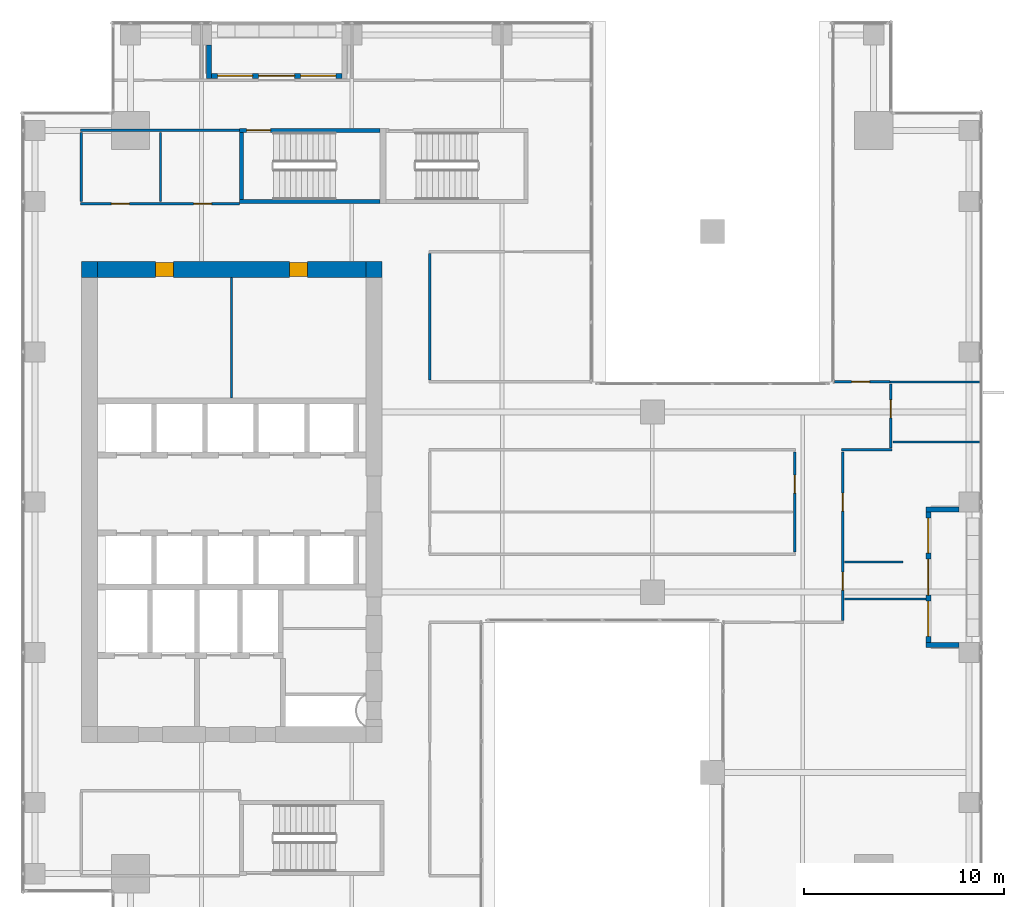
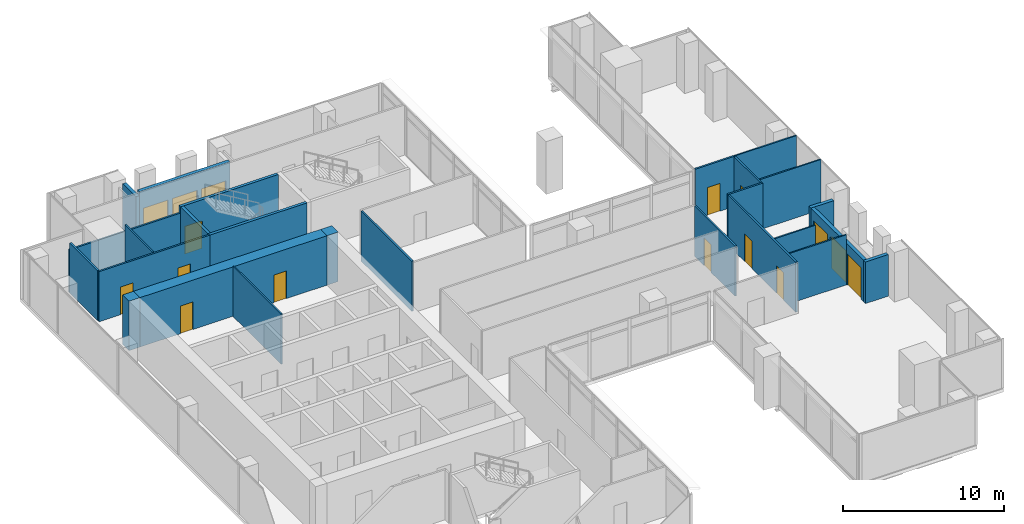
# One storey, part 33 of 37: 26 walls, 12 doors, 4 windows, 16 openings.
"""IFC4 building model written with IfcOpenShell, lengths in metres."""

from ifc_helpers import new_model, si_unit, direction, frame, frame_2d, origin, place, context, subcontext, project, spatial, rectangle, extrude, source, transform, mapped, material, layer, layer_set, type_object, element, fill, save


model = new_model("IFC4")

# Units and contexts
model_context = context("Model", 3, precision=1e-05, world=origin(), true_north=direction((0.0, 1.0)))
body_context = subcontext(model_context, "Body", "Model", "MODEL_VIEW")
ifc_project = project(units=[si_unit("LENGTHUNIT", "METRE"), si_unit("AREAUNIT", "SQUARE_METRE"), si_unit("VOLUMEUNIT", "CUBIC_METRE"), si_unit("PLANEANGLEUNIT", "RADIAN"), si_unit("MASSUNIT", "GRAM", prefix="KILO")], contexts=[model_context])

# Site, building, storey
site_placement = place(None, origin())
site = spatial("IfcSite", under=ifc_project, at=site_placement, CompositionType="ELEMENT")
building_placement = place(site_placement, origin())
building = spatial("IfcBuilding", under=site, at=building_placement, Name="Khomas Fold Tower", CompositionType="ELEMENT")
storey_placement = place(building_placement, frame((0.0, 0.0, 168.699951171875)))
storey = spatial("IfcBuildingStorey", under=building, at=storey_placement, Name="L36", CompositionType="ELEMENT", Elevation=168.699951171875)

# Wall, openings, doors
ifc_material_1 = material(Name="Concrete C60/75", Category="concrete")
ifc_layer_1 = layer(ifc_material_1, 0.800048828125)
ifc_layer_set_1 = layer_set([ifc_layer_1], Name="Concrete C60/75")
wall_type_1 = type_object("IfcWallType", Name="Core wall 800", PredefinedType="SHEAR", material=ifc_layer_set_1)
shared_shape_1 = source(origin(), body_context, "Body", "SweptSolid", [
    extrude(rectangle(XDim=13.39990234375, YDim=0.800048828125, at=frame_2d((6.699951171875, 0.0))), origin(), (0.0, 0.0, 1.0), 3.75),
])
wall_1_placement = place(storey_placement, frame((6.800048828125, 38.60009765625, 0.0), z_axis=(0.0, 0.0, 1.0), x_axis=(1.0, 0.0, 0.0)))
wall_1 = element("IfcWall", 1, at=wall_1_placement, inside=storey, type_object=wall_type_1, Name="Core wall CW-U-N-L35", PredefinedType="SHEAR", context=body_context, shape_type="MappedRepresentation", body=[
    mapped(shared_shape_1, transform((0.0, 0.0, 0.0))),
])
shared_shape_2 = source(origin(), body_context, "Body", "SweptSolid", [
    extrude(rectangle(XDim=0.89990234375, YDim=2.10009765625, at=frame_2d((0.449951171875, 1.050048828125))), frame((0.0, 0.409912109375, 0.0), z_axis=(0.0, -1.0, 0.0), x_axis=(1.0, 0.0, 0.0)), (0.0, 0.0, 1.0), 0.820068359375),
])
opening_1_placement = place(wall_1_placement, frame((2.89990234375, 0.0, 0.0)))
opening_1 = element("IfcOpeningElement", 2, at=opening_1_placement, cuts=wall_1, Name="Opening 0008", PredefinedType="OPENING", context=body_context, shape_type="MappedRepresentation", body=[
    mapped(shared_shape_2, transform((0.0, 0.0, 0.0))),
])
opening_2_placement = place(wall_1_placement, frame((9.60009765625, 0.0, 0.0)))
opening_2 = element("IfcOpeningElement", 3, at=opening_2_placement, cuts=wall_1, Name="Opening 0008", PredefinedType="OPENING", context=body_context, shape_type="MappedRepresentation", body=[
    mapped(shared_shape_2, transform((0.0, 0.0, 0.0))),
])
ifc_material_2 = material(Name="Timber door leaf", Category="wood")
door_type_1 = type_object("IfcDoorType", Name="Door 900x2100 right-hand", OperationType="SINGLE_SWING_RIGHT", PredefinedType="DOOR", material=ifc_material_2)
shared_shape_3 = source(origin(), body_context, "Body", "SweptSolid", [
    extrude(rectangle(XDim=0.89990234375, YDim=2.10009765625, at=frame_2d((0.449951171875, 1.050048828125))), frame((0.0, 0.35009765625, 0.0), z_axis=(0.0, -1.0, 0.0), x_axis=(1.0, 0.0, 0.0)), (0.0, 0.0, 1.0), 0.699951171875),
])
door_1_placement = place(opening_1_placement, origin())
door_1 = element("IfcDoor", 4, at=door_1_placement, inside=storey, type_object=door_type_1, Name="Door", OperationType="SINGLE_SWING_RIGHT", OverallHeight=2.10009765625, OverallWidth=0.89990234375, PredefinedType="DOOR", context=body_context, shape_type="MappedRepresentation", body=[
    mapped(shared_shape_3, transform((0.0, 0.0, 0.0))),
])
fill(opening_1, door_1)
door_2_placement = place(opening_2_placement, origin())
door_2 = element("IfcDoor", 5, at=door_2_placement, inside=storey, type_object=door_type_1, Name="Door", OperationType="SINGLE_SWING_RIGHT", OverallHeight=2.10009765625, OverallWidth=0.89990234375, PredefinedType="DOOR", context=body_context, shape_type="MappedRepresentation", body=[
    mapped(shared_shape_3, transform((0.0, 0.0, 0.0))),
])
fill(opening_2, door_2)

# Walls
ifc_material_3 = material(Name="Concrete C60/75", Category="concrete")
ifc_layer_2 = layer(ifc_material_3, 0.800048828125)
ifc_layer_set_2 = layer_set([ifc_layer_2], Name="Concrete C60/75")
wall_type_2 = type_object("IfcWallType", Name="Core corner wall 800", PredefinedType="SHEAR", material=ifc_layer_set_2)
shared_shape_4 = source(origin(), body_context, "Body", "SweptSolid", [
    extrude(rectangle(XDim=0.800048828125, YDim=0.800048828125, at=frame_2d((0.39990234375, 0.0))), origin(), (0.0, 0.0, 1.0), 3.75),
])
for number, where, z_axis, x_axis, name in (
    (6, (20.199951171875, 38.60009765625, 0.0), (0.0, 0.0, 1.0), (1.0, 0.0, 0.0), "Core wall CW-U-NE-L35"),
    (7, (6.0, 38.60009765625, 0.0), (0.0, 0.0, 1.0), (1.0, 0.0, 0.0), "Core wall CW-U-NW-L35"),
):
    element("IfcWall", number, at=place(storey_placement, frame(where, z_axis=z_axis, x_axis=x_axis)), inside=storey, type_object=wall_type_2, Name=name, PredefinedType="SHEAR", context=body_context, shape_type="MappedRepresentation", body=[
        mapped(shared_shape_4, transform((0.0, 0.0, 0.0))),
    ])

# Wall, opening, door
ifc_material_4 = material(Name="Concrete C50/60", Category="concrete")
ifc_layer_3 = layer(ifc_material_4, 0.199951171875)
ifc_layer_set_3 = layer_set([ifc_layer_3], Name="Concrete C50/60")
wall_type_3 = type_object("IfcWallType", Name="Stair wall 200", PredefinedType="SHEAR", material=ifc_layer_set_3)
shared_shape_5 = source(origin(), body_context, "Body", "SweptSolid", [
    extrude(rectangle(XDim=7.0, YDim=0.199951171875, at=frame_2d((3.5, 0.0))), origin(), (0.0, 0.0, 1.0), 3.75),
])
wall_2_placement = place(storey_placement, frame((13.89990234375, 45.550048828125, 0.0), z_axis=(0.0, 0.0, 1.0), x_axis=(1.0, 0.0, 0.0)))
wall_2 = element("IfcWall", 8, at=wall_2_placement, inside=storey, type_object=wall_type_3, Name="Stair wall SW-ST1-N", PredefinedType="SHEAR", context=body_context, shape_type="MappedRepresentation", body=[
    mapped(shared_shape_5, transform((0.0, 0.0, 0.0))),
])
shared_shape_6 = source(origin(), body_context, "Body", "SweptSolid", [
    extrude(rectangle(XDim=1.199951171875, YDim=2.10009765625, at=frame_2d((0.60009765625, 1.050048828125))), frame((0.0, 0.10986328125, 0.0), z_axis=(0.0, -1.0, 0.0), x_axis=(1.0, 0.0, 0.0)), (0.0, 0.0, 1.0), 0.219970703125),
])
opening_3_placement = place(wall_2_placement, frame((0.35009765625, 0.0, 0.0)))
opening_3 = element("IfcOpeningElement", 9, at=opening_3_placement, cuts=wall_2, Name="Opening SD-ST1", PredefinedType="OPENING", context=body_context, shape_type="MappedRepresentation", body=[
    mapped(shared_shape_6, transform((0.0, 0.0, 0.0))),
])
ifc_material_5 = material(Name="Steel door leaf", Category="steel")
door_type_2 = type_object("IfcDoorType", Name="Stair door 1200x2100 left-hand", OperationType="SINGLE_SWING_LEFT", PredefinedType="DOOR", material=ifc_material_5)
shared_shape_7 = source(origin(), body_context, "Body", "SweptSolid", [
    extrude(rectangle(XDim=1.199951171875, YDim=2.10009765625, at=frame_2d((0.60009765625, 1.050048828125))), frame((0.0, 0.02490234375, 0.0), z_axis=(0.0, -1.0, 0.0), x_axis=(1.0, 0.0, 0.0)), (0.0, 0.0, 1.0), 0.050048828125),
])
door_3_placement = place(opening_3_placement, origin())
door_3 = element("IfcDoor", 10, at=door_3_placement, inside=storey, type_object=door_type_2, Name="Stair door", OperationType="SINGLE_SWING_LEFT", OverallHeight=2.10009765625, OverallWidth=1.199951171875, PredefinedType="DOOR", context=body_context, shape_type="MappedRepresentation", body=[
    mapped(shared_shape_7, transform((0.0, 0.0, 0.0))),
])
fill(opening_3, door_3)

# Walls
wall_3_placement = place(storey_placement, frame((13.89990234375, 42.0, 0.0), z_axis=(0.0, 0.0, 1.0), x_axis=(1.0, 0.0, 0.0)))
element("IfcWall", 11, at=wall_3_placement, inside=storey, type_object=wall_type_3, Name="Stair wall SW-ST1-S", PredefinedType="SHEAR", context=body_context, shape_type="MappedRepresentation", body=[
    mapped(shared_shape_5, transform((0.0, 0.0, 0.0))),
])
shared_shape_8 = source(origin(), body_context, "Body", "SweptSolid", [
    extrude(rectangle(XDim=3.349853515625, YDim=0.199951171875, at=frame_2d((1.6748046875, 0.0))), origin(), (0.0, 0.0, 1.0), 3.75),
])
wall_4_placement = place(storey_placement, frame((14.0, 42.10009765625, 0.0), z_axis=(0.0, 0.0, 1.0), x_axis=(0.0, 1.0, 0.0)))
element("IfcWall", 12, at=wall_4_placement, inside=storey, type_object=wall_type_3, Name="Stair wall SW-ST1-W", PredefinedType="SHEAR", context=body_context, shape_type="MappedRepresentation", body=[
    mapped(shared_shape_8, transform((0.0, 0.0, 0.0))),
])

# Wall, openings, door, windows
ifc_material_6 = material(Name="Natural stone", Category="masonry")
ifc_layer_4 = layer(ifc_material_6, 0.0400390625)
ifc_material_7 = material(Name="Mineral wool insulation", Category="insulation")
ifc_layer_5 = layer(ifc_material_7, 0.10009765625)
ifc_material_8 = material(Name="Masonry", Category="masonry")
ifc_layer_6 = layer(ifc_material_8, 0.110107421875)
ifc_layer_set_4 = layer_set([ifc_layer_4, ifc_layer_5, ifc_layer_6], Name="Stone-faced insulated masonry")
wall_type_4 = type_object("IfcWallType", Name="BL-Balcony wall", PredefinedType="SOLIDWALL", material=ifc_layer_set_4)
shared_shape_9 = source(origin(), body_context, "Body", "SweptSolid", [
    extrude(rectangle(XDim=6.5, YDim=0.25, at=frame_2d((3.25, 0.0))), origin(), (0.0, 0.0, 1.0), 3.75),
])
wall_5_placement = place(storey_placement, frame((12.5, 48.27490234375, 0.0), z_axis=(0.0, 0.0, 1.0), x_axis=(1.0, 0.0, 0.0)))
wall_5 = element("IfcWall", 13, at=wall_5_placement, inside=storey, type_object=wall_type_4, Name="Balcony wall BAL-L36-N1", PredefinedType="SOLIDWALL", context=body_context, shape_type="MappedRepresentation", body=[
    mapped(shared_shape_9, transform((0.0, 0.0, 0.0))),
])
shared_shape_10 = source(origin(), body_context, "Body", "SweptSolid", [
    extrude(rectangle(XDim=1.75, YDim=2.39990234375, at=frame_2d((0.875, 1.199951171875))), frame((0.0, 0.135009765625, 0.0), z_axis=(0.0, -1.0, 0.0), x_axis=(1.0, 0.0, 0.0)), (0.0, 0.0, 1.0), 0.27001953125),
])
opening_4_placement = place(wall_5_placement, frame((0.300048828125, 0.0, 0.0)))
opening_4 = element("IfcOpeningElement", 14, at=opening_4_placement, cuts=wall_5, Name="Opening BL-W3", PredefinedType="OPENING", context=body_context, shape_type="MappedRepresentation", body=[
    mapped(shared_shape_10, transform((0.0, 0.0, 0.0))),
])
opening_5_placement = place(wall_5_placement, frame((4.449951171875, 0.0, 0.0)))
opening_5 = element("IfcOpeningElement", 15, at=opening_5_placement, cuts=wall_5, Name="Opening BL-W3", PredefinedType="OPENING", context=body_context, shape_type="MappedRepresentation", body=[
    mapped(shared_shape_10, transform((0.0, 0.0, 0.0))),
])
shared_shape_11 = source(origin(), body_context, "Body", "SweptSolid", [
    extrude(rectangle(XDim=1.800048828125, YDim=2.39990234375, at=frame_2d((0.89990234375, 1.199951171875))), frame((0.0, 0.135009765625, 0.0), z_axis=(0.0, -1.0, 0.0), x_axis=(1.0, 0.0, 0.0)), (0.0, 0.0, 1.0), 0.27001953125),
])
opening_6_placement = place(wall_5_placement, frame((2.35009765625, 0.0, 0.0)))
opening_6 = element("IfcOpeningElement", 16, at=opening_6_placement, cuts=wall_5, Name="Opening BD361", PredefinedType="OPENING", context=body_context, shape_type="MappedRepresentation", body=[
    mapped(shared_shape_11, transform((0.0, 0.0, 0.0))),
])
ifc_material_9 = material(Name="Aluminium framed double glazing", Category="aluminium")
door_type_3 = type_object("IfcDoorType", Name="BL-Glazed balcony door 1800 x 2400", OperationType="DOUBLE_DOOR_DOUBLE_SWING", PredefinedType="DOOR", material=ifc_material_9)
shared_shape_12 = source(origin(), body_context, "Body", "SweptSolid", [
    extrude(rectangle(XDim=1.800048828125, YDim=2.39990234375, at=frame_2d((0.89990234375, 1.199951171875))), frame((0.0, 0.02490234375, 0.0), z_axis=(0.0, -1.0, 0.0), x_axis=(1.0, 0.0, 0.0)), (0.0, 0.0, 1.0), 0.050048828125),
])
door_4_placement = place(opening_6_placement, origin())
door_4 = element("IfcDoor", 17, at=door_4_placement, inside=storey, type_object=door_type_3, Name="Balcony door BD361", OperationType="DOUBLE_DOOR_DOUBLE_SWING", OverallHeight=2.39990234375, OverallWidth=1.800048828125, PredefinedType="DOOR", context=body_context, shape_type="MappedRepresentation", body=[
    mapped(shared_shape_12, transform((0.0, 0.0, 0.0))),
])
fill(opening_6, door_4)
ifc_material_10 = material(Name="Aluminium framed double glazing", Category="aluminium")
window_type = type_object("IfcWindowType", Name="BL-Fixed glazing 1750 x 2400", PartitioningType="SINGLE_PANEL", PredefinedType="WINDOW", material=ifc_material_10)
shared_shape_13 = source(origin(), body_context, "Body", "SweptSolid", [
    extrude(rectangle(XDim=1.75, YDim=2.39990234375, at=frame_2d((0.875, 1.199951171875))), frame((0.0, 0.030029296875, 0.0), z_axis=(0.0, -1.0, 0.0), x_axis=(1.0, 0.0, 0.0)), (0.0, 0.0, 1.0), 0.06005859375),
])
window_1_placement = place(opening_4_placement, origin())
window_1 = element("IfcWindow", 18, at=window_1_placement, inside=storey, type_object=window_type, Name="Balcony glazing BAL-L36-N1-1", OverallHeight=2.39990234375, OverallWidth=1.75, PartitioningType="SINGLE_PANEL", PredefinedType="WINDOW", context=body_context, shape_type="MappedRepresentation", body=[
    mapped(shared_shape_13, transform((0.0, 0.0, 0.0))),
])
fill(opening_4, window_1)
window_2_placement = place(opening_5_placement, origin())
window_2 = element("IfcWindow", 19, at=window_2_placement, inside=storey, type_object=window_type, Name="Balcony glazing BAL-L36-N1-2", OverallHeight=2.39990234375, OverallWidth=1.75, PartitioningType="SINGLE_PANEL", PredefinedType="WINDOW", context=body_context, shape_type="MappedRepresentation", body=[
    mapped(shared_shape_13, transform((0.0, 0.0, 0.0))),
])
fill(opening_5, window_2)

# Wall
shared_shape_14 = source(origin(), body_context, "Body", "SweptSolid", [
    extrude(rectangle(XDim=1.650146484375, YDim=0.25, at=frame_2d((0.8251953125, 0.0))), origin(), (0.0, 0.0, 1.0), 3.449951171875),
])
wall_6_placement = place(storey_placement, frame((12.375, 49.800048828125, 0.0), z_axis=(0.0, 0.0, 1.0), x_axis=(0.0, -1.0, 0.0)))
element("IfcWall", 20, at=wall_6_placement, inside=storey, type_object=wall_type_4, Name="Balcony return wall BAL-L36-N1-lo", PredefinedType="SOLIDWALL", context=body_context, shape_type="MappedRepresentation", body=[
    mapped(shared_shape_14, transform((0.0, 0.0, 0.0))),
])

# Wall, openings, door, windows
shared_shape_15 = source(origin(), body_context, "Body", "SweptSolid", [
    extrude(rectangle(XDim=6.5, YDim=0.25, at=frame_2d((3.25, 0.0))), origin(), (0.0, 0.0, 1.0), 3.150146484375),
])
wall_7_placement = place(storey_placement, frame((48.27490234375, 20.0, 0.0), z_axis=(0.0, 0.0, 1.0), x_axis=(0.0, 1.0, 0.0)))
wall_7 = element("IfcWall", 21, at=wall_7_placement, inside=storey, type_object=wall_type_4, Name="Balcony wall BAL-L36-E2", PredefinedType="SOLIDWALL", context=body_context, shape_type="MappedRepresentation", body=[
    mapped(shared_shape_15, transform((0.0, 0.0, 0.0))),
])
opening_7_placement = place(wall_7_placement, frame((0.300048828125, 0.0, 0.0)))
opening_7 = element("IfcOpeningElement", 22, at=opening_7_placement, cuts=wall_7, Name="Opening BL-W3", PredefinedType="OPENING", context=body_context, shape_type="MappedRepresentation", body=[
    mapped(shared_shape_10, transform((0.0, 0.0, 0.0))),
])
opening_8_placement = place(wall_7_placement, frame((4.449951171875, 0.0, 0.0)))
opening_8 = element("IfcOpeningElement", 23, at=opening_8_placement, cuts=wall_7, Name="Opening BL-W3", PredefinedType="OPENING", context=body_context, shape_type="MappedRepresentation", body=[
    mapped(shared_shape_10, transform((0.0, 0.0, 0.0))),
])
opening_9_placement = place(wall_7_placement, frame((2.35009765625, 0.0, 0.0)))
opening_9 = element("IfcOpeningElement", 24, at=opening_9_placement, cuts=wall_7, Name="Opening BD362", PredefinedType="OPENING", context=body_context, shape_type="MappedRepresentation", body=[
    mapped(shared_shape_11, transform((0.0, 0.0, 0.0))),
])
door_5_placement = place(opening_9_placement, origin())
door_5 = element("IfcDoor", 25, at=door_5_placement, inside=storey, type_object=door_type_3, Name="Balcony door BD362", OperationType="DOUBLE_DOOR_DOUBLE_SWING", OverallHeight=2.39990234375, OverallWidth=1.800048828125, PredefinedType="DOOR", context=body_context, shape_type="MappedRepresentation", body=[
    mapped(shared_shape_12, transform((0.0, 0.0, 0.0))),
])
fill(opening_9, door_5)
window_3_placement = place(opening_7_placement, origin())
window_3 = element("IfcWindow", 26, at=window_3_placement, inside=storey, type_object=window_type, Name="Balcony glazing BAL-L36-E2-1", OverallHeight=2.39990234375, OverallWidth=1.75, PartitioningType="SINGLE_PANEL", PredefinedType="WINDOW", context=body_context, shape_type="MappedRepresentation", body=[
    mapped(shared_shape_13, transform((0.0, 0.0, 0.0))),
])
fill(opening_7, window_3)
window_4_placement = place(opening_8_placement, origin())
window_4 = element("IfcWindow", 27, at=window_4_placement, inside=storey, type_object=window_type, Name="Balcony glazing BAL-L36-E2-2", OverallHeight=2.39990234375, OverallWidth=1.75, PartitioningType="SINGLE_PANEL", PredefinedType="WINDOW", context=body_context, shape_type="MappedRepresentation", body=[
    mapped(shared_shape_13, transform((0.0, 0.0, 0.0))),
])
fill(opening_8, window_4)

# Walls
shared_shape_16 = source(origin(), body_context, "Body", "SweptSolid", [
    extrude(rectangle(XDim=1.650146484375, YDim=0.25, at=frame_2d((0.8251953125, 0.0))), origin(), (0.0, 0.0, 1.0), 3.150146484375),
])
for number, where, z_axis, x_axis, name in (
    (28, (49.800048828125, 19.875, 0.0), (0.0, 0.0, 1.0), (-1.0, 0.0, 0.0), "Balcony return wall BAL-L36-E2-lo"),
    (29, (49.800048828125, 26.625, 0.0), (0.0, 0.0, 1.0), (-1.0, 0.0, 0.0), "Balcony return wall BAL-L36-E2-hi"),
):
    element("IfcWall", number, at=place(storey_placement, frame(where, z_axis=z_axis, x_axis=x_axis)), inside=storey, type_object=wall_type_4, Name=name, PredefinedType="SOLIDWALL", context=body_context, shape_type="MappedRepresentation", body=[
        mapped(shared_shape_16, transform((0.0, 0.0, 0.0))),
    ])
ifc_material_11 = material(Name="Plasterboard partition")
ifc_layer_7 = layer(ifc_material_11, 0.125)
ifc_layer_set_5 = layer_set([ifc_layer_7], Name="Plasterboard partition")
wall_type_5 = type_object("IfcWallType", Name="Partition PW2 125", PredefinedType="PARTITIONING", material=ifc_layer_set_5)
shared_shape_17 = source(origin(), body_context, "Body", "SweptSolid", [
    extrude(rectangle(XDim=7.949951171875, YDim=0.125, at=frame_2d((3.97509765625, 0.0))), origin(), (0.0, 0.0, 1.0), 3.25),
])
wall_8_placement = place(storey_placement, frame((5.949951171875, 45.550048828125, 0.0), z_axis=(0.0, 0.0, 1.0), x_axis=(1.0, 0.0, 0.0)))
element("IfcWall", 30, at=wall_8_placement, inside=storey, type_object=wall_type_5, Name="Partition", PredefinedType="PARTITIONING", context=body_context, shape_type="MappedRepresentation", body=[
    mapped(shared_shape_17, transform((0.0, 0.0, 0.0))),
])

# Wall, openings, doors
shared_shape_18 = source(origin(), body_context, "Body", "SweptSolid", [
    extrude(rectangle(XDim=8.39990234375, YDim=0.125, at=frame_2d((4.199951171875, 0.0))), origin(), (0.0, 0.0, 1.0), 3.800048828125),
])
wall_9_placement = place(storey_placement, frame((44.0, 21.10009765625, 0.0), z_axis=(0.0, 0.0, 1.0), x_axis=(0.0, 1.0, 0.0)))
wall_9 = element("IfcWall", 31, at=wall_9_placement, inside=storey, type_object=wall_type_5, Name="Partition", PredefinedType="PARTITIONING", context=body_context, shape_type="MappedRepresentation", body=[
    mapped(shared_shape_18, transform((0.0, 0.0, 0.0))),
])
shared_shape_19 = source(origin(), body_context, "Body", "SweptSolid", [
    extrude(rectangle(XDim=0.89990234375, YDim=2.10009765625, at=frame_2d((0.449951171875, 1.050048828125))), frame((0.0, 0.072509765625, 0.0), z_axis=(0.0, -1.0, 0.0), x_axis=(1.0, 0.0, 0.0)), (0.0, 0.0, 1.0), 0.14501953125),
])
opening_10_placement = place(wall_9_placement, frame((1.5, 0.0, 0.0)))
opening_10 = element("IfcOpeningElement", 32, at=opening_10_placement, cuts=wall_9, Name="Opening 0007", PredefinedType="OPENING", context=body_context, shape_type="MappedRepresentation", body=[
    mapped(shared_shape_19, transform((0.0, 0.0, 0.0))),
])
opening_11_placement = place(wall_9_placement, frame((5.449951171875, 0.0, 0.0)))
opening_11 = element("IfcOpeningElement", 33, at=opening_11_placement, cuts=wall_9, Name="Opening 0008", PredefinedType="OPENING", context=body_context, shape_type="MappedRepresentation", body=[
    mapped(shared_shape_19, transform((0.0, 0.0, 0.0))),
])
ifc_material_12 = material(Name="Timber door leaf", Category="wood")
door_type_4 = type_object("IfcDoorType", Name="Door 900x2100 left-hand", OperationType="SINGLE_SWING_LEFT", PredefinedType="DOOR", material=ifc_material_12)
shared_shape_20 = source(origin(), body_context, "Body", "SweptSolid", [
    extrude(rectangle(XDim=0.89990234375, YDim=2.10009765625, at=frame_2d((0.449951171875, 1.050048828125))), frame((0.0, 0.02490234375, 0.0), z_axis=(0.0, -1.0, 0.0), x_axis=(1.0, 0.0, 0.0)), (0.0, 0.0, 1.0), 0.050048828125),
])
door_6_placement = place(opening_10_placement, origin())
door_6 = element("IfcDoor", 34, at=door_6_placement, inside=storey, type_object=door_type_4, Name="Door", OperationType="SINGLE_SWING_LEFT", OverallHeight=2.10009765625, OverallWidth=0.89990234375, PredefinedType="DOOR", context=body_context, shape_type="MappedRepresentation", body=[
    mapped(shared_shape_20, transform((0.0, 0.0, 0.0))),
])
fill(opening_10, door_6)
door_7_placement = place(opening_11_placement, origin())
door_7 = element("IfcDoor", 35, at=door_7_placement, inside=storey, type_object=door_type_1, Name="Door", OperationType="SINGLE_SWING_RIGHT", OverallHeight=2.10009765625, OverallWidth=0.89990234375, PredefinedType="DOOR", context=body_context, shape_type="MappedRepresentation", body=[
    mapped(shared_shape_20, transform((0.0, 0.0, 0.0))),
])
fill(opening_11, door_7)

# Walls
ifc_material_13 = material(Name="Plasterboard partition")
ifc_layer_8 = layer(ifc_material_13, 0.10009765625)
ifc_layer_set_6 = layer_set([ifc_layer_8], Name="Plasterboard partition")
wall_type_6 = type_object("IfcWallType", Name="Partition PW1 100", PredefinedType="PARTITIONING", material=ifc_layer_set_6)
shared_shape_21 = source(origin(), body_context, "Body", "SweptSolid", [
    extrude(rectangle(XDim=4.0498046875, YDim=0.10009765625, at=frame_2d((2.02490234375, 0.0))), origin(), (0.0, 0.0, 1.0), 3.800048828125),
])
wall_10_placement = place(storey_placement, frame((44.10009765625, 22.14990234375, 0.0), z_axis=(0.0, 0.0, 1.0), x_axis=(1.0, 0.0, 0.0)))
element("IfcWall", 36, at=wall_10_placement, inside=storey, type_object=wall_type_6, Name="Partition", PredefinedType="PARTITIONING", context=body_context, shape_type="MappedRepresentation", body=[
    mapped(shared_shape_21, transform((0.0, 0.0, 0.0))),
])
shared_shape_22 = source(origin(), body_context, "Body", "SweptSolid", [
    extrude(rectangle(XDim=2.89990234375, YDim=0.10009765625, at=frame_2d((1.449951171875, 0.0))), origin(), (0.0, 0.0, 1.0), 3.800048828125),
])
wall_11_placement = place(storey_placement, frame((44.10009765625, 24.0, 0.0), z_axis=(0.0, 0.0, 1.0), x_axis=(1.0, 0.0, 0.0)))
element("IfcWall", 37, at=wall_11_placement, inside=storey, type_object=wall_type_6, Name="Partition", PredefinedType="PARTITIONING", context=body_context, shape_type="MappedRepresentation", body=[
    mapped(shared_shape_22, transform((0.0, 0.0, 0.0))),
])

# Wall, opening, door
shared_shape_23 = source(origin(), body_context, "Body", "SweptSolid", [
    extrude(rectangle(XDim=5.0, YDim=0.125, at=frame_2d((2.5, 0.0))), origin(), (0.0, 0.0, 1.0), 3.800048828125),
])
wall_12_placement = place(storey_placement, frame((41.60009765625, 24.5, 0.0), z_axis=(0.0, 0.0, 1.0), x_axis=(0.0, 1.0, 0.0)))
wall_12 = element("IfcWall", 38, at=wall_12_placement, inside=storey, type_object=wall_type_5, Name="Partition", PredefinedType="PARTITIONING", context=body_context, shape_type="MappedRepresentation", body=[
    mapped(shared_shape_23, transform((0.0, 0.0, 0.0))),
])
opening_12_placement = place(wall_12_placement, frame((2.949951171875, 0.0, 0.0)))
opening_12 = element("IfcOpeningElement", 39, at=opening_12_placement, cuts=wall_12, Name="Opening 0008", PredefinedType="OPENING", context=body_context, shape_type="MappedRepresentation", body=[
    mapped(shared_shape_19, transform((0.0, 0.0, 0.0))),
])
door_8_placement = place(opening_12_placement, origin())
door_8 = element("IfcDoor", 40, at=door_8_placement, inside=storey, type_object=door_type_1, Name="Door", OperationType="SINGLE_SWING_RIGHT", OverallHeight=2.10009765625, OverallWidth=0.89990234375, PredefinedType="DOOR", context=body_context, shape_type="MappedRepresentation", body=[
    mapped(shared_shape_20, transform((0.0, 0.0, 0.0))),
])
fill(opening_12, door_8)

# Wall
shared_shape_24 = source(origin(), body_context, "Body", "SweptSolid", [
    extrude(rectangle(XDim=2.5, YDim=0.125, at=frame_2d((1.25, 0.0))), origin(), (0.0, 0.0, 1.0), 3.800048828125),
])
wall_13_placement = place(storey_placement, frame((43.949951171875, 29.60009765625, 0.0), z_axis=(0.0, 0.0, 1.0), x_axis=(1.0, 0.0, 0.0)))
element("IfcWall", 41, at=wall_13_placement, inside=storey, type_object=wall_type_5, Name="Partition", PredefinedType="PARTITIONING", context=body_context, shape_type="MappedRepresentation", body=[
    mapped(shared_shape_24, transform((0.0, 0.0, 0.0))),
])

# Wall, opening, door
shared_shape_25 = source(origin(), body_context, "Body", "SweptSolid", [
    extrude(rectangle(XDim=3.199951171875, YDim=0.125, at=frame_2d((1.60009765625, 0.0))), origin(), (0.0, 0.0, 1.0), 3.800048828125),
])
wall_14_placement = place(storey_placement, frame((46.39990234375, 29.699951171875, 0.0), z_axis=(0.0, 0.0, 1.0), x_axis=(0.0, 1.0, 0.0)))
wall_14 = element("IfcWall", 42, at=wall_14_placement, inside=storey, type_object=wall_type_5, Name="Partition", PredefinedType="PARTITIONING", context=body_context, shape_type="MappedRepresentation", body=[
    mapped(shared_shape_25, transform((0.0, 0.0, 0.0))),
])
opening_13_placement = place(wall_14_placement, frame((1.5, 0.0, 0.0)))
opening_13 = element("IfcOpeningElement", 43, at=opening_13_placement, cuts=wall_14, Name="Opening 0008", PredefinedType="OPENING", context=body_context, shape_type="MappedRepresentation", body=[
    mapped(shared_shape_19, transform((0.0, 0.0, 0.0))),
])
door_9_placement = place(opening_13_placement, origin())
door_9 = element("IfcDoor", 44, at=door_9_placement, inside=storey, type_object=door_type_1, Name="Door", OperationType="SINGLE_SWING_RIGHT", OverallHeight=2.10009765625, OverallWidth=0.89990234375, PredefinedType="DOOR", context=body_context, shape_type="MappedRepresentation", body=[
    mapped(shared_shape_20, transform((0.0, 0.0, 0.0))),
])
fill(opening_13, door_9)

# Walls
shared_shape_26 = source(origin(), body_context, "Body", "SweptSolid", [
    extrude(rectangle(XDim=4.35009765625, YDim=0.10009765625, at=frame_2d((2.175048828125, 0.0))), origin(), (0.0, 0.0, 1.0), 3.800048828125),
])
wall_15_placement = place(storey_placement, frame((46.5, 30.0, 0.0), z_axis=(0.0, 0.0, 1.0), x_axis=(1.0, 0.0, 0.0)))
element("IfcWall", 45, at=wall_15_placement, inside=storey, type_object=wall_type_6, Name="Partition", PredefinedType="PARTITIONING", context=body_context, shape_type="MappedRepresentation", body=[
    mapped(shared_shape_26, transform((0.0, 0.0, 0.0))),
])
shared_shape_27 = source(origin(), body_context, "Body", "SweptSolid", [
    extrude(rectangle(XDim=6.0, YDim=0.10009765625, at=frame_2d((3.0, 0.0))), origin(), (0.0, 0.0, 1.0), 3.800048828125),
])
wall_16_placement = place(storey_placement, frame((13.5, 32.199951171875, 0.0), z_axis=(0.0, 0.0, 1.0), x_axis=(0.0, 1.0, 0.0)))
element("IfcWall", 46, at=wall_16_placement, inside=storey, type_object=wall_type_6, Name="Partition", PredefinedType="PARTITIONING", context=body_context, shape_type="MappedRepresentation", body=[
    mapped(shared_shape_27, transform((0.0, 0.0, 0.0))),
])
shared_shape_28 = source(origin(), body_context, "Body", "SweptSolid", [
    extrude(rectangle(XDim=4.5, YDim=0.10009765625, at=frame_2d((2.25, 0.0))), origin(), (0.0, 0.0, 1.0), 3.800048828125),
])
wall_17_placement = place(storey_placement, frame((46.35009765625, 33.0, 0.0), z_axis=(0.0, 0.0, 1.0), x_axis=(1.0, 0.0, 0.0)))
element("IfcWall", 47, at=wall_17_placement, inside=storey, type_object=wall_type_6, Name="Partition", PredefinedType="PARTITIONING", context=body_context, shape_type="MappedRepresentation", body=[
    mapped(shared_shape_28, transform((0.0, 0.0, 0.0))),
])
shared_shape_29 = source(origin(), body_context, "Body", "SweptSolid", [
    extrude(rectangle(XDim=6.2998046875, YDim=0.125, at=frame_2d((3.14990234375, 0.0))), origin(), (0.0, 0.0, 1.0), 3.800048828125),
])
wall_18_placement = place(storey_placement, frame((23.39990234375, 33.10009765625, 0.0), z_axis=(0.0, 0.0, 1.0), x_axis=(0.0, 1.0, 0.0)))
element("IfcWall", 48, at=wall_18_placement, inside=storey, type_object=wall_type_5, Name="Partition", PredefinedType="PARTITIONING", context=body_context, shape_type="MappedRepresentation", body=[
    mapped(shared_shape_29, transform((0.0, 0.0, 0.0))),
])

# Wall, openings, doors
shared_shape_30 = source(origin(), body_context, "Body", "SweptSolid", [
    extrude(rectangle(XDim=7.949951171875, YDim=0.125, at=frame_2d((3.97509765625, 0.0))), origin(), (0.0, 0.0, 1.0), 3.800048828125),
])
wall_19_placement = place(storey_placement, frame((5.949951171875, 41.89990234375, 0.0), z_axis=(0.0, 0.0, 1.0), x_axis=(1.0, 0.0, 0.0)))
wall_19 = element("IfcWall", 49, at=wall_19_placement, inside=storey, type_object=wall_type_5, Name="Partition", PredefinedType="PARTITIONING", context=body_context, shape_type="MappedRepresentation", body=[
    mapped(shared_shape_30, transform((0.0, 0.0, 0.0))),
])
opening_14_placement = place(wall_19_placement, frame((1.550048828125, 0.0, 0.0)))
opening_14 = element("IfcOpeningElement", 50, at=opening_14_placement, cuts=wall_19, Name="Opening 0005", PredefinedType="OPENING", context=body_context, shape_type="MappedRepresentation", body=[
    mapped(shared_shape_19, transform((0.0, 0.0, 0.0))),
])
opening_15_placement = place(wall_19_placement, frame((5.64990234375, 0.0, 0.0)))
opening_15 = element("IfcOpeningElement", 51, at=opening_15_placement, cuts=wall_19, Name="Opening 0005", PredefinedType="OPENING", context=body_context, shape_type="MappedRepresentation", body=[
    mapped(shared_shape_19, transform((0.0, 0.0, 0.0))),
])
ifc_material_14 = material(Name="Timber door leaf", Category="wood")
door_type_5 = type_object("IfcDoorType", Name="WC door 900x2100 left-hand", OperationType="SINGLE_SWING_LEFT", PredefinedType="DOOR", material=ifc_material_14)
door_10_placement = place(opening_14_placement, origin())
door_10 = element("IfcDoor", 52, at=door_10_placement, inside=storey, type_object=door_type_5, Name="WC door", OperationType="SINGLE_SWING_LEFT", OverallHeight=2.10009765625, OverallWidth=0.89990234375, PredefinedType="DOOR", context=body_context, shape_type="MappedRepresentation", body=[
    mapped(shared_shape_20, transform((0.0, 0.0, 0.0))),
])
fill(opening_14, door_10)
door_11_placement = place(opening_15_placement, origin())
door_11 = element("IfcDoor", 53, at=door_11_placement, inside=storey, type_object=door_type_5, Name="WC door", OperationType="SINGLE_SWING_LEFT", OverallHeight=2.10009765625, OverallWidth=0.89990234375, PredefinedType="DOOR", context=body_context, shape_type="MappedRepresentation", body=[
    mapped(shared_shape_20, transform((0.0, 0.0, 0.0))),
])
fill(opening_15, door_11)

# Walls
shared_shape_31 = source(origin(), body_context, "Body", "SweptSolid", [
    extrude(rectangle(XDim=3.449951171875, YDim=0.125, at=frame_2d((1.72509765625, 0.0))), origin(), (0.0, 0.0, 1.0), 3.800048828125),
])
wall_20_placement = place(storey_placement, frame((6.0, 42.0, 0.0), z_axis=(0.0, 0.0, 1.0), x_axis=(0.0, 1.0, 0.0)))
element("IfcWall", 54, at=wall_20_placement, inside=storey, type_object=wall_type_5, Name="Partition", PredefinedType="PARTITIONING", context=body_context, shape_type="MappedRepresentation", body=[
    mapped(shared_shape_31, transform((0.0, 0.0, 0.0))),
])
shared_shape_32 = source(origin(), body_context, "Body", "SweptSolid", [
    extrude(rectangle(XDim=3.449951171875, YDim=0.10009765625, at=frame_2d((1.72509765625, 0.0))), origin(), (0.0, 0.0, 1.0), 3.800048828125),
])
wall_21_placement = place(storey_placement, frame((9.949951171875, 42.0, 0.0), z_axis=(0.0, 0.0, 1.0), x_axis=(0.0, 1.0, 0.0)))
element("IfcWall", 55, at=wall_21_placement, inside=storey, type_object=wall_type_6, Name="Partition", PredefinedType="PARTITIONING", context=body_context, shape_type="MappedRepresentation", body=[
    mapped(shared_shape_32, transform((0.0, 0.0, 0.0))),
])

# Wall, opening, door
shared_shape_33 = source(origin(), body_context, "Body", "SweptSolid", [
    extrude(rectangle(XDim=2.75, YDim=0.125, at=frame_2d((1.375, 0.0))), origin(), (0.0, 0.0, 1.0), 3.800048828125),
])
wall_22_placement = place(storey_placement, frame((43.60009765625, 33.0, 0.0), z_axis=(0.0, 0.0, 1.0), x_axis=(1.0, 0.0, 0.0)))
wall_22 = element("IfcWall", 56, at=wall_22_placement, inside=storey, type_object=wall_type_5, Name="Partition", PredefinedType="PARTITIONING", context=body_context, shape_type="MappedRepresentation", body=[
    mapped(shared_shape_33, transform((0.0, 0.0, 0.0))),
])
opening_16_placement = place(wall_22_placement, frame((0.85009765625, 0.0, 0.0)))
opening_16 = element("IfcOpeningElement", 57, at=opening_16_placement, cuts=wall_22, Name="Opening 0008", PredefinedType="OPENING", context=body_context, shape_type="MappedRepresentation", body=[
    mapped(shared_shape_19, transform((0.0, 0.0, 0.0))),
])
door_12_placement = place(opening_16_placement, origin())
door_12 = element("IfcDoor", 58, at=door_12_placement, inside=storey, type_object=door_type_1, Name="Door", OperationType="SINGLE_SWING_RIGHT", OverallHeight=2.10009765625, OverallWidth=0.89990234375, PredefinedType="DOOR", context=body_context, shape_type="MappedRepresentation", body=[
    mapped(shared_shape_20, transform((0.0, 0.0, 0.0))),
])
fill(opening_16, door_12)

save(model, "model.ifc")
